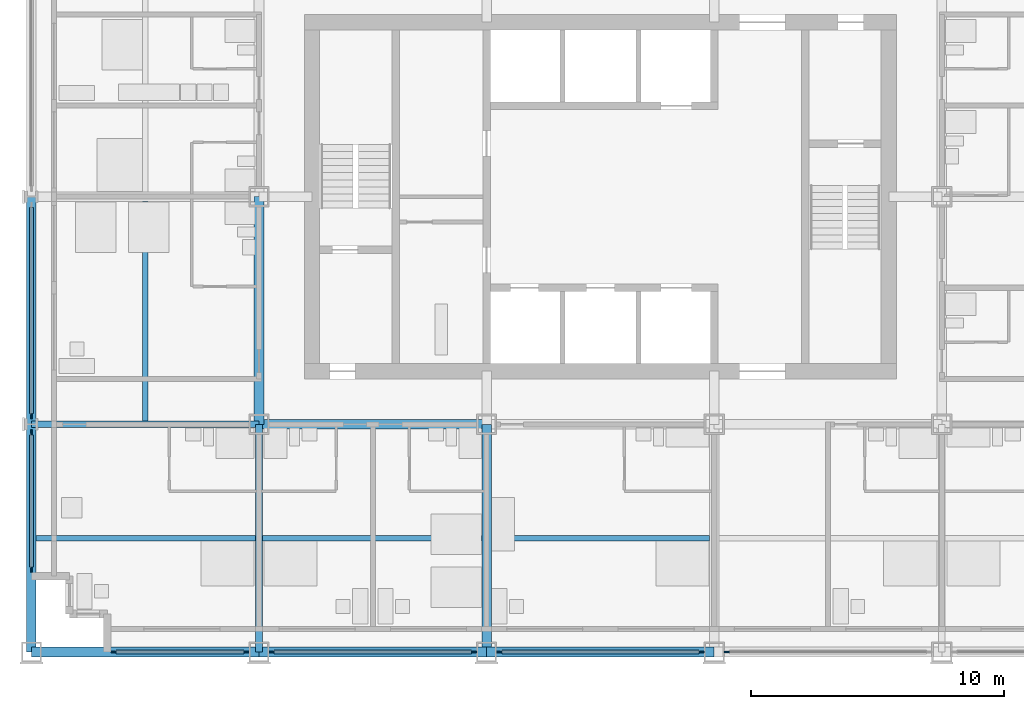
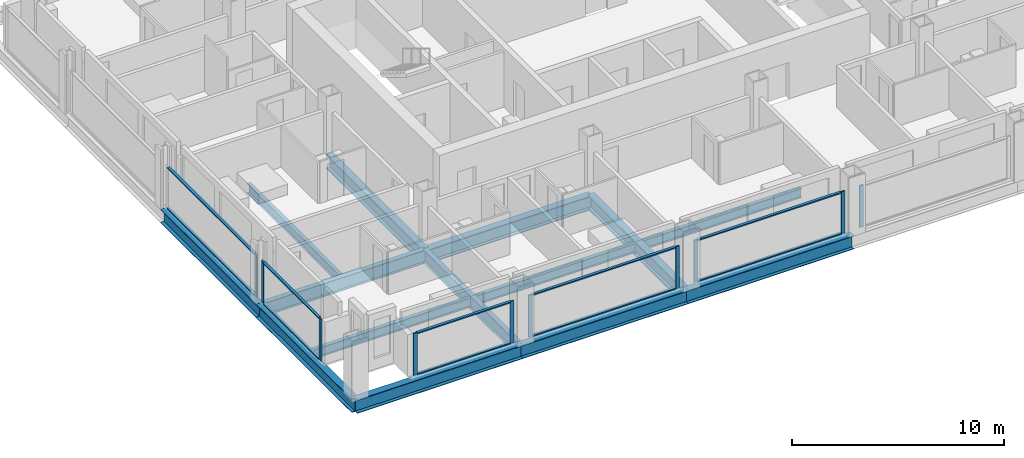
# One storey, part 2 of 17: 20 members, 14 beams, 6 elements without a shape of their own.
"""IFC4 building model written with IfcOpenShell, lengths in metres."""

from ifc_helpers import new_model, si_unit, direction, frame, origin, origin_2d, place, context, subcontext, project, spatial, rectangle, i_section, extrude, material, material_profile, profile_set, type_object, element, aggregate, save


model = new_model("IFC4")

# Units and contexts
model_context = context("Model", 3, precision=1e-05, world=origin(), true_north=direction((0.0, 1.0)))
body_context = subcontext(model_context, "Body", "Model", "MODEL_VIEW")
ifc_project = project(units=[si_unit("LENGTHUNIT", "METRE"), si_unit("AREAUNIT", "SQUARE_METRE"), si_unit("VOLUMEUNIT", "CUBIC_METRE"), si_unit("PLANEANGLEUNIT", "RADIAN"), si_unit("MASSUNIT", "GRAM", prefix="KILO")], contexts=[model_context])

# Site, building, storey
site_placement = place(None, origin())
site = spatial("IfcSite", under=ifc_project, at=site_placement, CompositionType="ELEMENT")
building_placement = place(site_placement, origin())
building = spatial("IfcBuilding", under=site, at=building_placement, Name="Loomwork Tower", CompositionType="ELEMENT")
storey_placement = place(building_placement, frame((0.0, 0.0, 141.800048828125)))
storey = spatial("IfcBuildingStorey", under=building, at=storey_placement, Name="L38", CompositionType="ELEMENT", Elevation=141.800048828125)

# Beams
ifc_material_1 = material(Name="Steel ASTM A992", Category="steel")
ifc_material_profile_1 = material_profile(ifc_material_1, i_section(OverallWidth=0.383544921875, OverallDepth=0.794921875, WebThickness=0.02099609375, FlangeThickness=0.0380859375, at=origin_2d()), Name="W30x235")
ifc_profile_set_1 = profile_set([ifc_material_profile_1], Name="Steel ASTM A992")
beam_type_1 = type_object("IfcBeamType", Name="CORE FLANK GIRDER W30x235", PredefinedType="BEAM", material=ifc_profile_set_1)
for number, where, z_axis, x_axis, name in (
    (1, (9.0, 9.0, -0.59765625), (1.0, 0.0, 0.0), (0.0, 1.0, 0.0), "Core Flank Girder E/3-E/4 L38"),
    (2, (9.0, 9.0, -0.59765625), (0.0, 1.0, 0.0), (-1.0, 0.0, 0.0), "Core Flank Girder E/3-F/3 L38"),
    (3, (18.0, 0.0, -0.59765625), (0.0, 1.0, 0.0), (-1.0, 0.0, 0.0), "Core Flank Girder D/4-E/4 L38"),
):
    element("IfcBeam", number, at=place(storey_placement, frame(where, z_axis=z_axis, x_axis=x_axis)), inside=storey, type_object=beam_type_1, Name=name, PredefinedType="BEAM", context=body_context, shape_type="SweptSolid", body=[
        extrude(i_section(OverallWidth=0.383544921875, OverallDepth=0.794921875, WebThickness=0.02099609375, FlangeThickness=0.0380859375, at=origin_2d()), origin(), (0.0, 0.0, 1.0), 9.0),
    ])
ifc_material_2 = material(Name="Steel ASTM A992", Category="steel")
ifc_material_profile_2 = material_profile(ifc_material_2, i_section(OverallWidth=0.2666015625, OverallDepth=0.761962890625, WebThickness=0.014404296875, FlangeThickness=0.021484375, at=origin_2d()), Name="W30x116")
ifc_profile_set_2 = profile_set([ifc_material_profile_2], Name="Steel ASTM A992")
beam_type_2 = type_object("IfcBeamType", Name="FLOOR GIRDER W30x116", PredefinedType="BEAM", material=ifc_profile_set_2)
for number, where, z_axis, x_axis, name in (
    (4, (0.0, 9.0, -0.5810546875), (1.0, 0.0, 0.0), (0.0, 1.0, 0.0), "Floor Girder E/2-E/3 L38"),
    (5, (9.0, 0.0, -0.5810546875), (0.0, 1.0, 0.0), (-1.0, 0.0, 0.0), "Floor Girder D/3-E/3 L38"),
):
    element("IfcBeam", number, at=place(storey_placement, frame(where, z_axis=z_axis, x_axis=x_axis)), inside=storey, type_object=beam_type_2, Name=name, PredefinedType="BEAM", context=body_context, shape_type="SweptSolid", body=[
        extrude(i_section(OverallWidth=0.2666015625, OverallDepth=0.761962890625, WebThickness=0.014404296875, FlangeThickness=0.021484375, at=origin_2d()), origin(), (0.0, 0.0, 1.0), 9.0),
    ])
ifc_material_3 = material(Name="Steel ASTM A992", Category="steel")
ifc_material_profile_3 = material_profile(ifc_material_3, i_section(OverallWidth=0.2109375, OverallDepth=0.53857421875, WebThickness=0.011474609375, FlangeThickness=0.018798828125, at=origin_2d()), Name="W21x73")
ifc_profile_set_3 = profile_set([ifc_material_profile_3], Name="Steel ASTM A992")
beam_type_3 = type_object("IfcBeamType", Name="FLOOR JOIST W21x73", PredefinedType="JOIST", material=ifc_profile_set_3)
beam_1_placement = place(storey_placement, frame((0.18994140625, 4.5, -0.46923828125), z_axis=(1.0, 0.0, 0.0), x_axis=(0.0, 1.0, 0.0)))
element("IfcBeam", 6, at=beam_1_placement, inside=storey, type_object=beam_type_3, Name="Floor Joist 0.000,4.500-9.000,4.500 L38", PredefinedType="JOIST", context=body_context, shape_type="SweptSolid", body=[
    extrude(i_section(OverallWidth=0.2109375, OverallDepth=0.53857421875, WebThickness=0.011474609375, FlangeThickness=0.018798828125, at=origin_2d()), origin(), (0.0, 0.0, 1.0), 8.677001953125),
])
for number, where, z_axis, x_axis, name in (
    (7, (4.5, 9.133056640625, -0.46923828125), (0.0, 1.0, 0.0), (-1.0, 0.0, 0.0), "Floor Joist 4.500,9.000-4.500,18.000 L38"),
    (8, (9.133056640625, 4.5, -0.46923828125), (1.0, 0.0, 0.0), (0.0, 1.0, 0.0), "Floor Joist 9.000,4.500-18.000,4.500 L38"),
):
    element("IfcBeam", number, at=place(storey_placement, frame(where, z_axis=z_axis, x_axis=x_axis)), inside=storey, type_object=beam_type_3, Name=name, PredefinedType="JOIST", context=body_context, shape_type="SweptSolid", body=[
        extrude(i_section(OverallWidth=0.2109375, OverallDepth=0.53857421875, WebThickness=0.011474609375, FlangeThickness=0.018798828125, at=origin_2d()), origin(), (0.0, 0.0, 1.0), 8.676025390625),
    ])
beam_2_placement = place(storey_placement, frame((18.19091796875, 4.5, -0.46923828125), z_axis=(1.0, 0.0, 0.0), x_axis=(0.0, 1.0, 0.0)))
element("IfcBeam", 9, at=beam_2_placement, inside=storey, type_object=beam_type_3, Name="Floor Joist 18.000,4.500-27.000,4.500 L38", PredefinedType="JOIST", context=body_context, shape_type="SweptSolid", body=[
    extrude(i_section(OverallWidth=0.2109375, OverallDepth=0.53857421875, WebThickness=0.011474609375, FlangeThickness=0.018798828125, at=origin_2d()), origin(), (0.0, 0.0, 1.0), 8.6181640625),
])

# Curtain wall, members
ifc_material_4 = material(Name="Aluminium curtain wall frame", Category="aluminium")
curtain_wall_type = type_object("IfcCurtainWallType", Name="Outer skin glazing hotel", PredefinedType="NOTDEFINED", material=ifc_material_4)
curtain_wall_1_placement = place(storey_placement, origin())
curtain_wall_1 = element("IfcCurtainWall", 10, at=curtain_wall_1_placement, inside=storey, type_object=curtain_wall_type, Name="Outer skin glazing hotel cw/S-0", PredefinedType="NOTDEFINED")
ifc_material_5 = material(Name="Aluminium curtain wall frame", Category="aluminium")
ifc_material_profile_4 = material_profile(ifc_material_5, rectangle(XDim=0.06494140625, YDim=0.199951171875, at=origin_2d()), Name="AL 65x200")
ifc_profile_set_4 = profile_set([ifc_material_profile_4], Name="Aluminium curtain wall frame")
member_type_1 = type_object("IfcMemberType", Name="Outer skin glazing hotel mullion", PredefinedType="MULLION", material=ifc_profile_set_4)
member_1_placement = place(storey_placement, frame((3.25, 0.0, 0.0), z_axis=(0.0, 0.0, 1.0), x_axis=(0.0, 1.0, 0.0)))
member_1 = element("IfcMember", 11, at=member_1_placement, type_object=member_type_1, Name="CW1 mullion 1", PredefinedType="MULLION", context=body_context, shape_type="SweptSolid", body=[
    extrude(rectangle(XDim=0.06494140625, YDim=0.199951171875, at=origin_2d()), origin(), (0.0, 0.0, 1.0), 2.420166015625),
])
member_2_placement = place(storey_placement, frame((8.5, 0.0, 0.0), z_axis=(0.0, 0.0, 1.0), x_axis=(0.0, 1.0, 0.0)))
member_2 = element("IfcMember", 12, at=member_2_placement, type_object=member_type_1, Name="CW1 mullion 2", PredefinedType="MULLION", context=body_context, shape_type="SweptSolid", body=[
    extrude(rectangle(XDim=0.06494140625, YDim=0.199951171875, at=origin_2d()), origin(), (0.0, 0.0, 1.0), 2.420166015625),
])

curtain_wall_2_placement = place(storey_placement, origin())
curtain_wall_2 = element("IfcCurtainWall", 13, at=curtain_wall_2_placement, inside=storey, type_object=curtain_wall_type, Name="Outer skin glazing hotel cw/S-9", PredefinedType="NOTDEFINED")
member_3_placement = place(storey_placement, frame((9.5, 0.0, 0.0), z_axis=(0.0, 0.0, 1.0), x_axis=(0.0, 1.0, 0.0)))
member_3 = element("IfcMember", 14, at=member_3_placement, type_object=member_type_1, Name="CW1 mullion 1", PredefinedType="MULLION", context=body_context, shape_type="SweptSolid", body=[
    extrude(rectangle(XDim=0.06494140625, YDim=0.199951171875, at=origin_2d()), origin(), (0.0, 0.0, 1.0), 2.420166015625),
])
member_4_placement = place(storey_placement, frame((17.5, 0.0, 0.0), z_axis=(0.0, 0.0, 1.0), x_axis=(0.0, 1.0, 0.0)))
member_4 = element("IfcMember", 15, at=member_4_placement, type_object=member_type_1, Name="CW1 mullion 2", PredefinedType="MULLION", context=body_context, shape_type="SweptSolid", body=[
    extrude(rectangle(XDim=0.06494140625, YDim=0.199951171875, at=origin_2d()), origin(), (0.0, 0.0, 1.0), 2.420166015625),
])

curtain_wall_3_placement = place(storey_placement, origin())
curtain_wall_3 = element("IfcCurtainWall", 16, at=curtain_wall_3_placement, inside=storey, type_object=curtain_wall_type, Name="Outer skin glazing hotel cw/S-18", PredefinedType="NOTDEFINED")
member_5_placement = place(storey_placement, frame((18.5, 0.0, 0.0), z_axis=(0.0, 0.0, 1.0), x_axis=(0.0, 1.0, 0.0)))
member_5 = element("IfcMember", 17, at=member_5_placement, type_object=member_type_1, Name="CW1 mullion 1", PredefinedType="MULLION", context=body_context, shape_type="SweptSolid", body=[
    extrude(rectangle(XDim=0.06494140625, YDim=0.199951171875, at=origin_2d()), origin(), (0.0, 0.0, 1.0), 2.420166015625),
])
member_6_placement = place(storey_placement, frame((26.5, 0.0, 0.0), z_axis=(0.0, 0.0, 1.0), x_axis=(0.0, 1.0, 0.0)))
member_6 = element("IfcMember", 18, at=member_6_placement, type_object=member_type_1, Name="CW1 mullion 2", PredefinedType="MULLION", context=body_context, shape_type="SweptSolid", body=[
    extrude(rectangle(XDim=0.06494140625, YDim=0.199951171875, at=origin_2d()), origin(), (0.0, 0.0, 1.0), 2.420166015625),
])

# Curtain wall, member
curtain_wall_4_placement = place(storey_placement, origin())
curtain_wall_4 = element("IfcCurtainWall", 19, at=curtain_wall_4_placement, inside=storey, type_object=curtain_wall_type, Name="Outer skin glazing hotel cw/S-27", PredefinedType="NOTDEFINED")
member_7_placement = place(storey_placement, frame((27.5, 0.0, 0.0), z_axis=(0.0, 0.0, 1.0), x_axis=(0.0, 1.0, 0.0)))
member_7 = element("IfcMember", 20, at=member_7_placement, type_object=member_type_1, Name="CW1 mullion 1", PredefinedType="MULLION", context=body_context, shape_type="SweptSolid", body=[
    extrude(rectangle(XDim=0.06494140625, YDim=0.199951171875, at=origin_2d()), origin(), (0.0, 0.0, 1.0), 2.420166015625),
])
aggregate(curtain_wall_4, [member_7])

# Curtain wall, members
curtain_wall_5_placement = place(storey_placement, origin())
curtain_wall_5 = element("IfcCurtainWall", 21, at=curtain_wall_5_placement, inside=storey, type_object=curtain_wall_type, Name="Outer skin glazing hotel cw/W-0", PredefinedType="NOTDEFINED")
member_8_placement = place(storey_placement, frame((0.0, 8.678955078125, 0.0), z_axis=(0.0, 0.0, 1.0), x_axis=(1.0, 0.0, 0.0)))
member_8 = element("IfcMember", 22, at=member_8_placement, type_object=member_type_1, Name="CW1 mullion 1", PredefinedType="MULLION", context=body_context, shape_type="SweptSolid", body=[
    extrude(rectangle(XDim=0.06494140625, YDim=0.199951171875, at=origin_2d()), origin(), (0.0, 0.0, 1.0), 2.420166015625),
])
member_9_placement = place(storey_placement, frame((0.0, 3.25, 0.0), z_axis=(0.0, 0.0, 1.0), x_axis=(1.0, 0.0, 0.0)))
member_9 = element("IfcMember", 23, at=member_9_placement, type_object=member_type_1, Name="CW1 mullion 2", PredefinedType="MULLION", context=body_context, shape_type="SweptSolid", body=[
    extrude(rectangle(XDim=0.06494140625, YDim=0.199951171875, at=origin_2d()), origin(), (0.0, 0.0, 1.0), 2.420166015625),
])

# Curtain wall, member
curtain_wall_6_placement = place(storey_placement, origin())
curtain_wall_6 = element("IfcCurtainWall", 24, at=curtain_wall_6_placement, inside=storey, type_object=curtain_wall_type, Name="Outer skin glazing hotel cw/W-9", PredefinedType="NOTDEFINED")
member_10_placement = place(storey_placement, frame((0.0, 9.321044921875, 0.0), z_axis=(0.0, 0.0, 1.0), x_axis=(1.0, 0.0, 0.0)))
member_10 = element("IfcMember", 25, at=member_10_placement, type_object=member_type_1, Name="CW1 mullion 2", PredefinedType="MULLION", context=body_context, shape_type="SweptSolid", body=[
    extrude(rectangle(XDim=0.06494140625, YDim=0.199951171875, at=origin_2d()), origin(), (0.0, 0.0, 1.0), 2.420166015625),
])

# Member
ifc_material_6 = material(Name="Aluminium curtain wall frame", Category="aluminium")
ifc_material_profile_5 = material_profile(ifc_material_6, rectangle(XDim=0.14990234375, YDim=0.06494140625, at=origin_2d()), Name="AL 65x150")
ifc_profile_set_5 = profile_set([ifc_material_profile_5], Name="Aluminium curtain wall frame")
member_type_2 = type_object("IfcMemberType", Name="Outer skin glazing hotel transom", PredefinedType="USERDEFINED", material=ifc_profile_set_5)
member_11_placement = place(storey_placement, frame((3.35009765625, 0.0, 0.032470703125), z_axis=(1.0, 0.0, 0.0), x_axis=(0.0, 1.0, 0.0)))
member_11 = element("IfcMember", 26, at=member_11_placement, type_object=member_type_2, Name="CW1 transom 1.1", ObjectType="TRANSOM", PredefinedType="USERDEFINED", context=body_context, shape_type="SweptSolid", body=[
    extrude(rectangle(XDim=0.14990234375, YDim=0.06494140625, at=origin_2d()), origin(), (0.0, 0.0, 1.0), 5.0498046875),
])

member_12_placement = place(storey_placement, frame((3.35009765625, 0.0, 2.3876953125), z_axis=(1.0, 0.0, 0.0), x_axis=(0.0, 1.0, 0.0)))
member_12 = element("IfcMember", 27, at=member_12_placement, type_object=member_type_2, Name="CW1 transom 1.2", ObjectType="TRANSOM", PredefinedType="USERDEFINED", context=body_context, shape_type="SweptSolid", body=[
    extrude(rectangle(XDim=0.14990234375, YDim=0.06494140625, at=origin_2d()), origin(), (0.0, 0.0, 1.0), 5.0498046875),
])

aggregate(curtain_wall_1, [member_1, member_2, member_11, member_12])

member_13_placement = place(storey_placement, frame((9.60009765625, 0.0, 0.032470703125), z_axis=(1.0, 0.0, 0.0), x_axis=(0.0, 1.0, 0.0)))
member_13 = element("IfcMember", 28, at=member_13_placement, type_object=member_type_2, Name="CW1 transom 1.1", ObjectType="TRANSOM", PredefinedType="USERDEFINED", context=body_context, shape_type="SweptSolid", body=[
    extrude(rectangle(XDim=0.14990234375, YDim=0.06494140625, at=origin_2d()), origin(), (0.0, 0.0, 1.0), 7.7998046875),
])

member_14_placement = place(storey_placement, frame((9.60009765625, 0.0, 2.3876953125), z_axis=(1.0, 0.0, 0.0), x_axis=(0.0, 1.0, 0.0)))
member_14 = element("IfcMember", 29, at=member_14_placement, type_object=member_type_2, Name="CW1 transom 1.2", ObjectType="TRANSOM", PredefinedType="USERDEFINED", context=body_context, shape_type="SweptSolid", body=[
    extrude(rectangle(XDim=0.14990234375, YDim=0.06494140625, at=origin_2d()), origin(), (0.0, 0.0, 1.0), 7.7998046875),
])

aggregate(curtain_wall_2, [member_3, member_4, member_13, member_14])

member_15_placement = place(storey_placement, frame((18.60009765625, 0.0, 0.032470703125), z_axis=(1.0, 0.0, 0.0), x_axis=(0.0, 1.0, 0.0)))
member_15 = element("IfcMember", 30, at=member_15_placement, type_object=member_type_2, Name="CW1 transom 1.1", ObjectType="TRANSOM", PredefinedType="USERDEFINED", context=body_context, shape_type="SweptSolid", body=[
    extrude(rectangle(XDim=0.14990234375, YDim=0.06494140625, at=origin_2d()), origin(), (0.0, 0.0, 1.0), 7.7998046875),
])

member_16_placement = place(storey_placement, frame((18.60009765625, 0.0, 2.3876953125), z_axis=(1.0, 0.0, 0.0), x_axis=(0.0, 1.0, 0.0)))
member_16 = element("IfcMember", 31, at=member_16_placement, type_object=member_type_2, Name="CW1 transom 1.2", ObjectType="TRANSOM", PredefinedType="USERDEFINED", context=body_context, shape_type="SweptSolid", body=[
    extrude(rectangle(XDim=0.14990234375, YDim=0.06494140625, at=origin_2d()), origin(), (0.0, 0.0, 1.0), 7.7998046875),
])

aggregate(curtain_wall_3, [member_5, member_6, member_15, member_16])

member_17_placement = place(storey_placement, frame((0.0, 8.5791015625, 0.032470703125), z_axis=(0.0, -1.0, 0.0), x_axis=(1.0, 0.0, 0.0)))
member_17 = element("IfcMember", 32, at=member_17_placement, type_object=member_type_2, Name="CW1 transom 1.1", ObjectType="TRANSOM", PredefinedType="USERDEFINED", context=body_context, shape_type="SweptSolid", body=[
    extrude(rectangle(XDim=0.14990234375, YDim=0.06494140625, at=origin_2d()), origin(), (0.0, 0.0, 1.0), 5.22900390625),
])

member_18_placement = place(storey_placement, frame((0.0, 8.5791015625, 2.3876953125), z_axis=(0.0, -1.0, 0.0), x_axis=(1.0, 0.0, 0.0)))
member_18 = element("IfcMember", 33, at=member_18_placement, type_object=member_type_2, Name="CW1 transom 1.2", ObjectType="TRANSOM", PredefinedType="USERDEFINED", context=body_context, shape_type="SweptSolid", body=[
    extrude(rectangle(XDim=0.14990234375, YDim=0.06494140625, at=origin_2d()), origin(), (0.0, 0.0, 1.0), 5.22900390625),
])

aggregate(curtain_wall_5, [member_8, member_9, member_17, member_18])

member_19_placement = place(storey_placement, frame((0.0, 17.5791015625, 0.032470703125), z_axis=(0.0, -1.0, 0.0), x_axis=(1.0, 0.0, 0.0)))
member_19 = element("IfcMember", 34, at=member_19_placement, type_object=member_type_2, Name="CW1 transom 1.1", ObjectType="TRANSOM", PredefinedType="USERDEFINED", context=body_context, shape_type="SweptSolid", body=[
    extrude(rectangle(XDim=0.14990234375, YDim=0.06494140625, at=origin_2d()), origin(), (0.0, 0.0, 1.0), 8.158203125),
])

member_20_placement = place(storey_placement, frame((0.0, 17.5791015625, 2.3876953125), z_axis=(0.0, -1.0, 0.0), x_axis=(1.0, 0.0, 0.0)))
member_20 = element("IfcMember", 35, at=member_20_placement, type_object=member_type_2, Name="CW1 transom 1.2", ObjectType="TRANSOM", PredefinedType="USERDEFINED", context=body_context, shape_type="SweptSolid", body=[
    extrude(rectangle(XDim=0.14990234375, YDim=0.06494140625, at=origin_2d()), origin(), (0.0, 0.0, 1.0), 8.158203125),
])

aggregate(curtain_wall_6, [member_10, member_19, member_20])

# Beams
ifc_material_7 = material(Name="Steel ASTM A992", Category="steel")
ifc_material_profile_6 = material_profile(ifc_material_7, i_section(OverallWidth=0.381103515625, OverallDepth=0.77978515625, WebThickness=0.01806640625, FlangeThickness=0.0302734375, at=origin_2d()), Name="W30x191")
ifc_profile_set_6 = profile_set([ifc_material_profile_6], Name="Steel ASTM A992")
beam_type_4 = type_object("IfcBeamType", Name="SPANDREL GIRDER W30x191", PredefinedType="SPANDREL", material=ifc_profile_set_6)
for number, where, z_axis, x_axis, name in (
    (36, (0.0, 0.0, -0.58984375), (1.0, 0.0, 0.0), (0.0, 1.0, 0.0), "Spandrel Girder D/2-D/3 L38"),
    (37, (9.0, 0.0, -0.58984375), (1.0, 0.0, 0.0), (0.0, 1.0, 0.0), "Spandrel Girder D/3-D/4 L38"),
    (38, (18.0, 0.0, -0.58984375), (1.0, 0.0, 0.0), (0.0, 1.0, 0.0), "Spandrel Girder D/4-D/5 L38"),
    (39, (0.0, 0.0, -0.58984375), (0.0, 1.0, 0.0), (-1.0, 0.0, 0.0), "Spandrel Girder D/2-E/2 L38"),
    (40, (0.0, 9.0, -0.58984375), (0.0, 1.0, 0.0), (-1.0, 0.0, 0.0), "Spandrel Girder E/2-F/2 L38"),
):
    element("IfcBeam", number, at=place(storey_placement, frame(where, z_axis=z_axis, x_axis=x_axis)), inside=storey, type_object=beam_type_4, Name=name, PredefinedType="SPANDREL", context=body_context, shape_type="SweptSolid", body=[
        extrude(i_section(OverallWidth=0.381103515625, OverallDepth=0.77978515625, WebThickness=0.01806640625, FlangeThickness=0.0302734375, at=origin_2d()), origin(), (0.0, 0.0, 1.0), 9.0),
    ])

save(model, "model.ifc")
